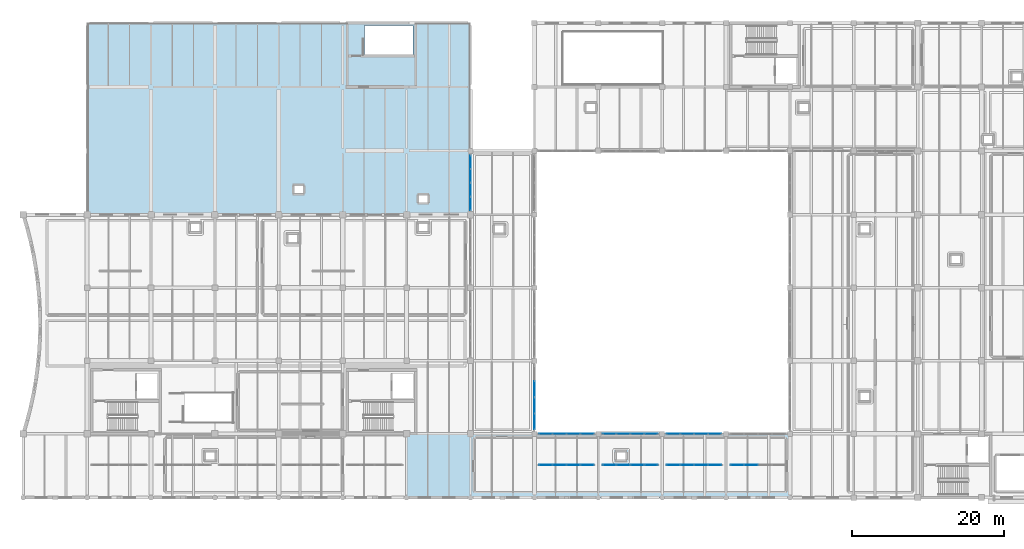
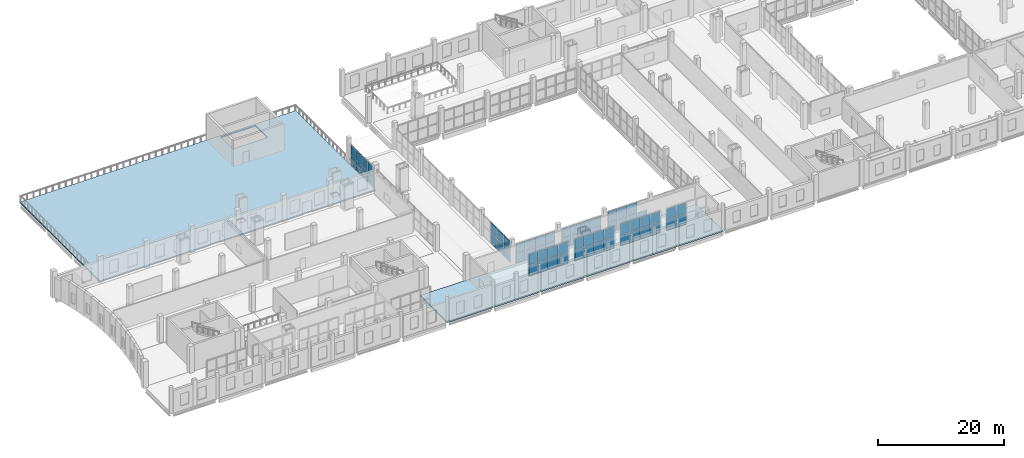
# One storey, part 49 of 73: 65 plates, 2 slabs, 9 elements without a shape of their own.
"""IFC4 building model written with IfcOpenShell, lengths in metres."""

from ifc_helpers import new_model, si_unit, direction, frame, origin, origin_2d, place, context, subcontext, project, spatial, polyline, rectangle, outline, extrude, material, layer, layer_set, type_object, element, aggregate, save


model = new_model("IFC4")

# Units and contexts
model_context = context("Model", 3, precision=1e-05, world=origin(), true_north=direction((0.0, 1.0)))
body_context = subcontext(model_context, "Body", "Model", "MODEL_VIEW")
ifc_project = project(units=[si_unit("LENGTHUNIT", "METRE"), si_unit("AREAUNIT", "SQUARE_METRE"), si_unit("VOLUMEUNIT", "CUBIC_METRE"), si_unit("PLANEANGLEUNIT", "RADIAN"), si_unit("MASSUNIT", "GRAM", prefix="KILO")], contexts=[model_context])

# Site, building, storey
site_placement = place(None, origin())
site = spatial("IfcSite", under=ifc_project, at=site_placement, CompositionType="ELEMENT")
building_placement = place(site_placement, origin())
building = spatial("IfcBuilding", under=site, at=building_placement, Name="Zulmaris Art Gallery", CompositionType="ELEMENT")
storey_placement = place(building_placement, frame((0.0, 0.0, 10.5)))
storey = spatial("IfcBuildingStorey", under=building, at=storey_placement, Name="L02", CompositionType="ELEMENT", Elevation=10.5)

# Curtain wall, plates
ifc_material_1 = material(Name="Cloister & Court Glazed Curtain Wall", Category="aluminium")
ifc_layer_1 = layer(ifc_material_1, 0.179931640625)
ifc_layer_set_1 = layer_set([ifc_layer_1], Name="Cloister & Court Glazed Curtain Wall")
curtain_wall_type = type_object("IfcCurtainWallType", Name="CW-CW03", PredefinedType="NOTDEFINED", material=ifc_layer_set_1)
curtain_wall_1_placement = place(storey_placement, origin())
curtain_wall_1 = element("IfcCurtainWall", 1, at=curtain_wall_1_placement, inside=storey, type_object=curtain_wall_type, Name="L02 curtain wall 62", PredefinedType="NOTDEFINED")
ifc_material_2 = material(Name="Triple Solar-Control Laminated Glass", Category="glass")
ifc_layer_2 = layer(ifc_material_2, 0.035888671875)
ifc_layer_set_2 = layer_set([ifc_layer_2], Name="Triple Solar-Control Laminated Glass")
plate_type = type_object("IfcPlateType", Name="CWPAN-GLZ", PredefinedType="CURTAIN_PANEL", material=ifc_layer_set_2)
plate_1_placement = place(storey_placement, frame((92.673828125, 17.5, 0.0751953125), z_axis=(0.0, 0.0, 1.0), x_axis=(1.0, 0.0, 0.0)))
plate_1 = element("IfcPlate", 2, at=plate_1_placement, type_object=plate_type, Name="CW03 panel 1.1", PredefinedType="CURTAIN_PANEL", context=body_context, shape_type="SweptSolid", body=[
    extrude(rectangle(XDim=1.717529296875, YDim=0.031982421875, at=origin_2d()), origin(), (0.0, 0.0, 1.0), 2.072509765625),
])
plate_2_placement = place(storey_placement, frame((92.673828125, 17.5, 2.22265625), z_axis=(0.0, 0.0, 1.0), x_axis=(1.0, 0.0, 0.0)))
plate_2 = element("IfcPlate", 3, at=plate_2_placement, type_object=plate_type, Name="CW03 panel 1.2", PredefinedType="CURTAIN_PANEL", context=body_context, shape_type="SweptSolid", body=[
    extrude(rectangle(XDim=1.717529296875, YDim=0.031982421875, at=origin_2d()), origin(), (0.0, 0.0, 1.0), 2.072509765625),
])
plate_3_placement = place(storey_placement, frame((94.485107421875, 17.5, 0.0751953125), z_axis=(0.0, 0.0, 1.0), x_axis=(1.0, 0.0, 0.0)))
plate_3 = element("IfcPlate", 4, at=plate_3_placement, type_object=plate_type, Name="CW03 panel 2.1", PredefinedType="CURTAIN_PANEL", context=body_context, shape_type="SweptSolid", body=[
    extrude(rectangle(XDim=1.7548828125, YDim=0.031982421875, at=origin_2d()), origin(), (0.0, 0.0, 1.0), 2.072509765625),
])
plate_4_placement = place(storey_placement, frame((94.485107421875, 17.5, 2.22265625), z_axis=(0.0, 0.0, 1.0), x_axis=(1.0, 0.0, 0.0)))
plate_4 = element("IfcPlate", 5, at=plate_4_placement, type_object=plate_type, Name="CW03 panel 2.2", PredefinedType="CURTAIN_PANEL", context=body_context, shape_type="SweptSolid", body=[
    extrude(rectangle(XDim=1.7548828125, YDim=0.031982421875, at=origin_2d()), origin(), (0.0, 0.0, 1.0), 2.072509765625),
])
plate_5_placement = place(storey_placement, frame((96.31494140625, 17.5, 0.0751953125), z_axis=(0.0, 0.0, 1.0), x_axis=(1.0, 0.0, 0.0)))
plate_5 = element("IfcPlate", 6, at=plate_5_placement, type_object=plate_type, Name="CW03 panel 3.1", PredefinedType="CURTAIN_PANEL", context=body_context, shape_type="SweptSolid", body=[
    extrude(rectangle(XDim=1.7548828125, YDim=0.031982421875, at=origin_2d()), origin(), (0.0, 0.0, 1.0), 2.072509765625),
])
plate_6_placement = place(storey_placement, frame((96.31494140625, 17.5, 2.22265625), z_axis=(0.0, 0.0, 1.0), x_axis=(1.0, 0.0, 0.0)))
plate_6 = element("IfcPlate", 7, at=plate_6_placement, type_object=plate_type, Name="CW03 panel 3.2", PredefinedType="CURTAIN_PANEL", context=body_context, shape_type="SweptSolid", body=[
    extrude(rectangle(XDim=1.7548828125, YDim=0.031982421875, at=origin_2d()), origin(), (0.0, 0.0, 1.0), 2.072509765625),
])
plate_7_placement = place(storey_placement, frame((98.126220703125, 17.5, 0.0751953125), z_axis=(0.0, 0.0, 1.0), x_axis=(1.0, 0.0, 0.0)))
plate_7 = element("IfcPlate", 8, at=plate_7_placement, type_object=plate_type, Name="CW03 panel 4.1", PredefinedType="CURTAIN_PANEL", context=body_context, shape_type="SweptSolid", body=[
    extrude(rectangle(XDim=1.717529296875, YDim=0.031982421875, at=origin_2d()), origin(), (0.0, 0.0, 1.0), 2.072509765625),
])
plate_8_placement = place(storey_placement, frame((98.126220703125, 17.5, 2.22265625), z_axis=(0.0, 0.0, 1.0), x_axis=(1.0, 0.0, 0.0)))
plate_8 = element("IfcPlate", 9, at=plate_8_placement, type_object=plate_type, Name="CW03 panel 4.2", PredefinedType="CURTAIN_PANEL", context=body_context, shape_type="SweptSolid", body=[
    extrude(rectangle(XDim=1.717529296875, YDim=0.031982421875, at=origin_2d()), origin(), (0.0, 0.0, 1.0), 2.072509765625),
])
aggregate(curtain_wall_1, [plate_1, plate_2, plate_3, plate_4, plate_5, plate_6, plate_7, plate_8])

curtain_wall_2_placement = place(storey_placement, origin())
curtain_wall_2 = element("IfcCurtainWall", 10, at=curtain_wall_2_placement, inside=storey, type_object=curtain_wall_type, Name="L02 curtain wall 63", PredefinedType="NOTDEFINED")
plate_9_placement = place(storey_placement, frame((101.07373046875, 17.5, 0.0751953125), z_axis=(0.0, 0.0, 1.0), x_axis=(1.0, 0.0, 0.0)))
plate_9 = element("IfcPlate", 11, at=plate_9_placement, type_object=plate_type, Name="CW03 panel 1.1", PredefinedType="CURTAIN_PANEL", context=body_context, shape_type="SweptSolid", body=[
    extrude(rectangle(XDim=1.717529296875, YDim=0.031982421875, at=origin_2d()), origin(), (0.0, 0.0, 1.0), 2.072509765625),
])
plate_10_placement = place(storey_placement, frame((101.07373046875, 17.5, 2.22265625), z_axis=(0.0, 0.0, 1.0), x_axis=(1.0, 0.0, 0.0)))
plate_10 = element("IfcPlate", 12, at=plate_10_placement, type_object=plate_type, Name="CW03 panel 1.2", PredefinedType="CURTAIN_PANEL", context=body_context, shape_type="SweptSolid", body=[
    extrude(rectangle(XDim=1.717529296875, YDim=0.031982421875, at=origin_2d()), origin(), (0.0, 0.0, 1.0), 2.072509765625),
])
plate_11_placement = place(storey_placement, frame((102.885009765625, 17.5, 0.0751953125), z_axis=(0.0, 0.0, 1.0), x_axis=(1.0, 0.0, 0.0)))
plate_11 = element("IfcPlate", 13, at=plate_11_placement, type_object=plate_type, Name="CW03 panel 2.1", PredefinedType="CURTAIN_PANEL", context=body_context, shape_type="SweptSolid", body=[
    extrude(rectangle(XDim=1.7548828125, YDim=0.031982421875, at=origin_2d()), origin(), (0.0, 0.0, 1.0), 2.072509765625),
])
plate_12_placement = place(storey_placement, frame((102.885009765625, 17.5, 2.22265625), z_axis=(0.0, 0.0, 1.0), x_axis=(1.0, 0.0, 0.0)))
plate_12 = element("IfcPlate", 14, at=plate_12_placement, type_object=plate_type, Name="CW03 panel 2.2", PredefinedType="CURTAIN_PANEL", context=body_context, shape_type="SweptSolid", body=[
    extrude(rectangle(XDim=1.7548828125, YDim=0.031982421875, at=origin_2d()), origin(), (0.0, 0.0, 1.0), 2.072509765625),
])
plate_13_placement = place(storey_placement, frame((104.715087890625, 17.5, 0.0751953125), z_axis=(0.0, 0.0, 1.0), x_axis=(1.0, 0.0, 0.0)))
plate_13 = element("IfcPlate", 15, at=plate_13_placement, type_object=plate_type, Name="CW03 panel 3.1", PredefinedType="CURTAIN_PANEL", context=body_context, shape_type="SweptSolid", body=[
    extrude(rectangle(XDim=1.7548828125, YDim=0.031982421875, at=origin_2d()), origin(), (0.0, 0.0, 1.0), 2.072509765625),
])
plate_14_placement = place(storey_placement, frame((104.715087890625, 17.5, 2.22265625), z_axis=(0.0, 0.0, 1.0), x_axis=(1.0, 0.0, 0.0)))
plate_14 = element("IfcPlate", 16, at=plate_14_placement, type_object=plate_type, Name="CW03 panel 3.2", PredefinedType="CURTAIN_PANEL", context=body_context, shape_type="SweptSolid", body=[
    extrude(rectangle(XDim=1.7548828125, YDim=0.031982421875, at=origin_2d()), origin(), (0.0, 0.0, 1.0), 2.072509765625),
])
plate_15_placement = place(storey_placement, frame((106.5263671875, 17.5, 0.0751953125), z_axis=(0.0, 0.0, 1.0), x_axis=(1.0, 0.0, 0.0)))
plate_15 = element("IfcPlate", 17, at=plate_15_placement, type_object=plate_type, Name="CW03 panel 4.1", PredefinedType="CURTAIN_PANEL", context=body_context, shape_type="SweptSolid", body=[
    extrude(rectangle(XDim=1.717529296875, YDim=0.031982421875, at=origin_2d()), origin(), (0.0, 0.0, 1.0), 2.072509765625),
])
plate_16_placement = place(storey_placement, frame((106.5263671875, 17.5, 2.22265625), z_axis=(0.0, 0.0, 1.0), x_axis=(1.0, 0.0, 0.0)))
plate_16 = element("IfcPlate", 18, at=plate_16_placement, type_object=plate_type, Name="CW03 panel 4.2", PredefinedType="CURTAIN_PANEL", context=body_context, shape_type="SweptSolid", body=[
    extrude(rectangle(XDim=1.717529296875, YDim=0.031982421875, at=origin_2d()), origin(), (0.0, 0.0, 1.0), 2.072509765625),
])
aggregate(curtain_wall_2, [plate_9, plate_10, plate_11, plate_12, plate_13, plate_14, plate_15, plate_16])

curtain_wall_3_placement = place(storey_placement, origin())
curtain_wall_3 = element("IfcCurtainWall", 19, at=curtain_wall_3_placement, inside=storey, type_object=curtain_wall_type, Name="L02 curtain wall 64", PredefinedType="NOTDEFINED")
plate_17_placement = place(storey_placement, frame((109.4736328125, 17.5, 0.0751953125), z_axis=(0.0, 0.0, 1.0), x_axis=(1.0, 0.0, 0.0)))
plate_17 = element("IfcPlate", 20, at=plate_17_placement, type_object=plate_type, Name="CW03 panel 1.1", PredefinedType="CURTAIN_PANEL", context=body_context, shape_type="SweptSolid", body=[
    extrude(rectangle(XDim=1.717529296875, YDim=0.031982421875, at=origin_2d()), origin(), (0.0, 0.0, 1.0), 2.072509765625),
])
plate_18_placement = place(storey_placement, frame((109.4736328125, 17.5, 2.22265625), z_axis=(0.0, 0.0, 1.0), x_axis=(1.0, 0.0, 0.0)))
plate_18 = element("IfcPlate", 21, at=plate_18_placement, type_object=plate_type, Name="CW03 panel 1.2", PredefinedType="CURTAIN_PANEL", context=body_context, shape_type="SweptSolid", body=[
    extrude(rectangle(XDim=1.717529296875, YDim=0.031982421875, at=origin_2d()), origin(), (0.0, 0.0, 1.0), 2.072509765625),
])
plate_19_placement = place(storey_placement, frame((111.284912109375, 17.5, 0.0751953125), z_axis=(0.0, 0.0, 1.0), x_axis=(1.0, 0.0, 0.0)))
plate_19 = element("IfcPlate", 22, at=plate_19_placement, type_object=plate_type, Name="CW03 panel 2.1", PredefinedType="CURTAIN_PANEL", context=body_context, shape_type="SweptSolid", body=[
    extrude(rectangle(XDim=1.7548828125, YDim=0.031982421875, at=origin_2d()), origin(), (0.0, 0.0, 1.0), 2.072509765625),
])
plate_20_placement = place(storey_placement, frame((111.284912109375, 17.5, 2.22265625), z_axis=(0.0, 0.0, 1.0), x_axis=(1.0, 0.0, 0.0)))
plate_20 = element("IfcPlate", 23, at=plate_20_placement, type_object=plate_type, Name="CW03 panel 2.2", PredefinedType="CURTAIN_PANEL", context=body_context, shape_type="SweptSolid", body=[
    extrude(rectangle(XDim=1.7548828125, YDim=0.031982421875, at=origin_2d()), origin(), (0.0, 0.0, 1.0), 2.072509765625),
])
plate_21_placement = place(storey_placement, frame((113.114990234375, 17.5, 0.0751953125), z_axis=(0.0, 0.0, 1.0), x_axis=(1.0, 0.0, 0.0)))
plate_21 = element("IfcPlate", 24, at=plate_21_placement, type_object=plate_type, Name="CW03 panel 3.1", PredefinedType="CURTAIN_PANEL", context=body_context, shape_type="SweptSolid", body=[
    extrude(rectangle(XDim=1.7548828125, YDim=0.031982421875, at=origin_2d()), origin(), (0.0, 0.0, 1.0), 2.072509765625),
])
plate_22_placement = place(storey_placement, frame((113.114990234375, 17.5, 2.22265625), z_axis=(0.0, 0.0, 1.0), x_axis=(1.0, 0.0, 0.0)))
plate_22 = element("IfcPlate", 25, at=plate_22_placement, type_object=plate_type, Name="CW03 panel 3.2", PredefinedType="CURTAIN_PANEL", context=body_context, shape_type="SweptSolid", body=[
    extrude(rectangle(XDim=1.7548828125, YDim=0.031982421875, at=origin_2d()), origin(), (0.0, 0.0, 1.0), 2.072509765625),
])
plate_23_placement = place(storey_placement, frame((114.92626953125, 17.5, 0.0751953125), z_axis=(0.0, 0.0, 1.0), x_axis=(1.0, 0.0, 0.0)))
plate_23 = element("IfcPlate", 26, at=plate_23_placement, type_object=plate_type, Name="CW03 panel 4.1", PredefinedType="CURTAIN_PANEL", context=body_context, shape_type="SweptSolid", body=[
    extrude(rectangle(XDim=1.717529296875, YDim=0.031982421875, at=origin_2d()), origin(), (0.0, 0.0, 1.0), 2.072509765625),
])
plate_24_placement = place(storey_placement, frame((114.92626953125, 17.5, 2.22265625), z_axis=(0.0, 0.0, 1.0), x_axis=(1.0, 0.0, 0.0)))
plate_24 = element("IfcPlate", 27, at=plate_24_placement, type_object=plate_type, Name="CW03 panel 4.2", PredefinedType="CURTAIN_PANEL", context=body_context, shape_type="SweptSolid", body=[
    extrude(rectangle(XDim=1.717529296875, YDim=0.031982421875, at=origin_2d()), origin(), (0.0, 0.0, 1.0), 2.072509765625),
])
aggregate(curtain_wall_3, [plate_17, plate_18, plate_19, plate_20, plate_21, plate_22, plate_23, plate_24])

curtain_wall_4_placement = place(storey_placement, origin())
curtain_wall_4 = element("IfcCurtainWall", 28, at=curtain_wall_4_placement, inside=storey, type_object=curtain_wall_type, Name="L02 curtain wall 65", PredefinedType="NOTDEFINED")
plate_25_placement = place(storey_placement, frame((117.873779296875, 17.5, 0.0751953125), z_axis=(0.0, 0.0, 1.0), x_axis=(1.0, 0.0, 0.0)))
plate_25 = element("IfcPlate", 29, at=plate_25_placement, type_object=plate_type, Name="CW03 panel 1.1", PredefinedType="CURTAIN_PANEL", context=body_context, shape_type="SweptSolid", body=[
    extrude(rectangle(XDim=1.717529296875, YDim=0.031982421875, at=origin_2d()), origin(), (0.0, 0.0, 1.0), 2.072509765625),
])
plate_26_placement = place(storey_placement, frame((117.873779296875, 17.5, 2.22265625), z_axis=(0.0, 0.0, 1.0), x_axis=(1.0, 0.0, 0.0)))
plate_26 = element("IfcPlate", 30, at=plate_26_placement, type_object=plate_type, Name="CW03 panel 1.2", PredefinedType="CURTAIN_PANEL", context=body_context, shape_type="SweptSolid", body=[
    extrude(rectangle(XDim=1.717529296875, YDim=0.031982421875, at=origin_2d()), origin(), (0.0, 0.0, 1.0), 2.072509765625),
])
plate_27_placement = place(storey_placement, frame((119.68505859375, 17.5, 0.0751953125), z_axis=(0.0, 0.0, 1.0), x_axis=(1.0, 0.0, 0.0)))
plate_27 = element("IfcPlate", 31, at=plate_27_placement, type_object=plate_type, Name="CW03 panel 2.1", PredefinedType="CURTAIN_PANEL", context=body_context, shape_type="SweptSolid", body=[
    extrude(rectangle(XDim=1.7548828125, YDim=0.031982421875, at=origin_2d()), origin(), (0.0, 0.0, 1.0), 2.072509765625),
])
plate_28_placement = place(storey_placement, frame((119.68505859375, 17.5, 2.22265625), z_axis=(0.0, 0.0, 1.0), x_axis=(1.0, 0.0, 0.0)))
plate_28 = element("IfcPlate", 32, at=plate_28_placement, type_object=plate_type, Name="CW03 panel 2.2", PredefinedType="CURTAIN_PANEL", context=body_context, shape_type="SweptSolid", body=[
    extrude(rectangle(XDim=1.7548828125, YDim=0.031982421875, at=origin_2d()), origin(), (0.0, 0.0, 1.0), 2.072509765625),
])
aggregate(curtain_wall_4, [plate_25, plate_26, plate_27, plate_28])

curtain_wall_5_placement = place(storey_placement, origin())
curtain_wall_5 = element("IfcCurtainWall", 33, at=curtain_wall_5_placement, inside=storey, type_object=curtain_wall_type, Name="L02 curtain wall 78", PredefinedType="NOTDEFINED")
plate_29_placement = place(storey_placement, frame((91.199951171875, 27.465087890625, 0.074951171875), z_axis=(0.0, 0.0, 1.0), x_axis=(0.0, -1.0, 0.0)))
plate_29 = element("IfcPlate", 34, at=plate_29_placement, type_object=plate_type, Name="CW03 panel 2.1", PredefinedType="CURTAIN_PANEL", context=body_context, shape_type="SweptSolid", body=[
    extrude(rectangle(XDim=2.054931640625, YDim=0.031982421875, at=origin_2d()), origin(), (0.0, 0.0, 1.0), 2.00244140625),
])
plate_30_placement = place(storey_placement, frame((91.199951171875, 27.465087890625, 2.152587890625), z_axis=(0.0, 0.0, 1.0), x_axis=(0.0, -1.0, 0.0)))
plate_30 = element("IfcPlate", 35, at=plate_30_placement, type_object=plate_type, Name="CW03 panel 2.2", PredefinedType="CURTAIN_PANEL", context=body_context, shape_type="SweptSolid", body=[
    extrude(rectangle(XDim=2.054931640625, YDim=0.031982421875, at=origin_2d()), origin(), (0.0, 0.0, 1.0), 2.00244140625),
])
plate_31_placement = place(storey_placement, frame((91.199951171875, 25.3349609375, 0.074951171875), z_axis=(0.0, 0.0, 1.0), x_axis=(0.0, -1.0, 0.0)))
plate_31 = element("IfcPlate", 36, at=plate_31_placement, type_object=plate_type, Name="CW03 panel 3.1", PredefinedType="CURTAIN_PANEL", context=body_context, shape_type="SweptSolid", body=[
    extrude(rectangle(XDim=2.054931640625, YDim=0.031982421875, at=origin_2d()), origin(), (0.0, 0.0, 1.0), 2.00244140625),
])
plate_32_placement = place(storey_placement, frame((91.199951171875, 25.3349609375, 2.152587890625), z_axis=(0.0, 0.0, 1.0), x_axis=(0.0, -1.0, 0.0)))
plate_32 = element("IfcPlate", 37, at=plate_32_placement, type_object=plate_type, Name="CW03 panel 3.2", PredefinedType="CURTAIN_PANEL", context=body_context, shape_type="SweptSolid", body=[
    extrude(rectangle(XDim=2.054931640625, YDim=0.031982421875, at=origin_2d()), origin(), (0.0, 0.0, 1.0), 2.00244140625),
])
plate_33_placement = place(storey_placement, frame((91.199951171875, 23.2236328125, 0.074951171875), z_axis=(0.0, 0.0, 1.0), x_axis=(0.0, -1.0, 0.0)))
plate_33 = element("IfcPlate", 38, at=plate_33_placement, type_object=plate_type, Name="CW03 panel 4.1", PredefinedType="CURTAIN_PANEL", context=body_context, shape_type="SweptSolid", body=[
    extrude(rectangle(XDim=2.017578125, YDim=0.031982421875, at=origin_2d()), origin(), (0.0, 0.0, 1.0), 2.00244140625),
])
plate_34_placement = place(storey_placement, frame((91.199951171875, 23.2236328125, 2.152587890625), z_axis=(0.0, 0.0, 1.0), x_axis=(0.0, -1.0, 0.0)))
plate_34 = element("IfcPlate", 39, at=plate_34_placement, type_object=plate_type, Name="CW03 panel 4.2", PredefinedType="CURTAIN_PANEL", context=body_context, shape_type="SweptSolid", body=[
    extrude(rectangle(XDim=2.017578125, YDim=0.031982421875, at=origin_2d()), origin(), (0.0, 0.0, 1.0), 2.00244140625),
])
aggregate(curtain_wall_5, [plate_29, plate_30, plate_31, plate_32, plate_33, plate_34])

curtain_wall_6_placement = place(storey_placement, origin())
curtain_wall_6 = element("IfcCurtainWall", 40, at=curtain_wall_6_placement, inside=storey, type_object=curtain_wall_type, Name="L02 curtain wall 83", PredefinedType="NOTDEFINED")
plate_35_placement = place(storey_placement, frame((82.800048828125, 51.873779296875, 0.074951171875), z_axis=(0.0, 0.0, 1.0), x_axis=(0.0, 1.0, 0.0)))
plate_35 = element("IfcPlate", 41, at=plate_35_placement, type_object=plate_type, Name="CW03 panel 1.1", PredefinedType="CURTAIN_PANEL", context=body_context, shape_type="SweptSolid", body=[
    extrude(rectangle(XDim=1.717529296875, YDim=0.031982421875, at=origin_2d()), origin(), (0.0, 0.0, 1.0), 1.9375),
])
plate_36_placement = place(storey_placement, frame((82.800048828125, 51.873779296875, 2.08740234375), z_axis=(0.0, 0.0, 1.0), x_axis=(0.0, 1.0, 0.0)))
plate_36 = element("IfcPlate", 42, at=plate_36_placement, type_object=plate_type, Name="CW03 panel 1.2", PredefinedType="CURTAIN_PANEL", context=body_context, shape_type="SweptSolid", body=[
    extrude(rectangle(XDim=1.717529296875, YDim=0.031982421875, at=origin_2d()), origin(), (0.0, 0.0, 1.0), 1.9375),
])
plate_37_placement = place(storey_placement, frame((82.800048828125, 53.68505859375, 0.074951171875), z_axis=(0.0, 0.0, 1.0), x_axis=(0.0, 1.0, 0.0)))
plate_37 = element("IfcPlate", 43, at=plate_37_placement, type_object=plate_type, Name="CW03 panel 2.1", PredefinedType="CURTAIN_PANEL", context=body_context, shape_type="SweptSolid", body=[
    extrude(rectangle(XDim=1.7548828125, YDim=0.031982421875, at=origin_2d()), origin(), (0.0, 0.0, 1.0), 1.9375),
])
plate_38_placement = place(storey_placement, frame((82.800048828125, 53.68505859375, 2.08740234375), z_axis=(0.0, 0.0, 1.0), x_axis=(0.0, 1.0, 0.0)))
plate_38 = element("IfcPlate", 44, at=plate_38_placement, type_object=plate_type, Name="CW03 panel 2.2", PredefinedType="CURTAIN_PANEL", context=body_context, shape_type="SweptSolid", body=[
    extrude(rectangle(XDim=1.7548828125, YDim=0.031982421875, at=origin_2d()), origin(), (0.0, 0.0, 1.0), 1.9375),
])
plate_39_placement = place(storey_placement, frame((82.800048828125, 55.514892578125, 0.074951171875), z_axis=(0.0, 0.0, 1.0), x_axis=(0.0, 1.0, 0.0)))
plate_39 = element("IfcPlate", 45, at=plate_39_placement, type_object=plate_type, Name="CW03 panel 3.1", PredefinedType="CURTAIN_PANEL", context=body_context, shape_type="SweptSolid", body=[
    extrude(rectangle(XDim=1.7548828125, YDim=0.031982421875, at=origin_2d()), origin(), (0.0, 0.0, 1.0), 1.9375),
])
plate_40_placement = place(storey_placement, frame((82.800048828125, 55.514892578125, 2.08740234375), z_axis=(0.0, 0.0, 1.0), x_axis=(0.0, 1.0, 0.0)))
plate_40 = element("IfcPlate", 46, at=plate_40_placement, type_object=plate_type, Name="CW03 panel 3.2", PredefinedType="CURTAIN_PANEL", context=body_context, shape_type="SweptSolid", body=[
    extrude(rectangle(XDim=1.7548828125, YDim=0.031982421875, at=origin_2d()), origin(), (0.0, 0.0, 1.0), 1.9375),
])
plate_41_placement = place(storey_placement, frame((82.800048828125, 57.326171875, 0.074951171875), z_axis=(0.0, 0.0, 1.0), x_axis=(0.0, 1.0, 0.0)))
plate_41 = element("IfcPlate", 47, at=plate_41_placement, type_object=plate_type, Name="CW03 panel 4.1", PredefinedType="CURTAIN_PANEL", context=body_context, shape_type="SweptSolid", body=[
    extrude(rectangle(XDim=1.717529296875, YDim=0.031982421875, at=origin_2d()), origin(), (0.0, 0.0, 1.0), 1.9375),
])
plate_42_placement = place(storey_placement, frame((82.800048828125, 57.326171875, 2.08740234375), z_axis=(0.0, 0.0, 1.0), x_axis=(0.0, 1.0, 0.0)))
plate_42 = element("IfcPlate", 48, at=plate_42_placement, type_object=plate_type, Name="CW03 panel 4.2", PredefinedType="CURTAIN_PANEL", context=body_context, shape_type="SweptSolid", body=[
    extrude(rectangle(XDim=1.717529296875, YDim=0.031982421875, at=origin_2d()), origin(), (0.0, 0.0, 1.0), 1.9375),
])
aggregate(curtain_wall_6, [plate_35, plate_36, plate_37, plate_38, plate_39, plate_40, plate_41, plate_42])

curtain_wall_7_placement = place(storey_placement, origin())
curtain_wall_7 = element("IfcCurtainWall", 49, at=curtain_wall_7_placement, inside=storey, type_object=curtain_wall_type, Name="L02 curtain wall 193", PredefinedType="NOTDEFINED")
plate_43_placement = place(storey_placement, frame((92.673828125, 21.60009765625, 0.074951171875), z_axis=(0.0, 0.0, 1.0), x_axis=(1.0, 0.0, 0.0)))
plate_43 = element("IfcPlate", 50, at=plate_43_placement, type_object=plate_type, Name="CW03 panel 1.1", PredefinedType="CURTAIN_PANEL", context=body_context, shape_type="SweptSolid", body=[
    extrude(rectangle(XDim=1.717529296875, YDim=0.031982421875, at=origin_2d()), origin(), (0.0, 0.0, 1.0), 1.83740234375),
])
plate_44_placement = place(storey_placement, frame((92.673828125, 21.60009765625, 1.987548828125), z_axis=(0.0, 0.0, 1.0), x_axis=(1.0, 0.0, 0.0)))
plate_44 = element("IfcPlate", 51, at=plate_44_placement, type_object=plate_type, Name="CW03 panel 1.2", PredefinedType="CURTAIN_PANEL", context=body_context, shape_type="SweptSolid", body=[
    extrude(rectangle(XDim=1.717529296875, YDim=0.031982421875, at=origin_2d()), origin(), (0.0, 0.0, 1.0), 1.83740234375),
])
plate_45_placement = place(storey_placement, frame((94.485107421875, 21.60009765625, 0.074951171875), z_axis=(0.0, 0.0, 1.0), x_axis=(1.0, 0.0, 0.0)))
plate_45 = element("IfcPlate", 52, at=plate_45_placement, type_object=plate_type, Name="CW03 panel 2.1", PredefinedType="CURTAIN_PANEL", context=body_context, shape_type="SweptSolid", body=[
    extrude(rectangle(XDim=1.7548828125, YDim=0.031982421875, at=origin_2d()), origin(), (0.0, 0.0, 1.0), 1.83740234375),
])
plate_46_placement = place(storey_placement, frame((94.485107421875, 21.60009765625, 1.987548828125), z_axis=(0.0, 0.0, 1.0), x_axis=(1.0, 0.0, 0.0)))
plate_46 = element("IfcPlate", 53, at=plate_46_placement, type_object=plate_type, Name="CW03 panel 2.2", PredefinedType="CURTAIN_PANEL", context=body_context, shape_type="SweptSolid", body=[
    extrude(rectangle(XDim=1.7548828125, YDim=0.031982421875, at=origin_2d()), origin(), (0.0, 0.0, 1.0), 1.83740234375),
])
plate_47_placement = place(storey_placement, frame((96.31494140625, 21.60009765625, 0.074951171875), z_axis=(0.0, 0.0, 1.0), x_axis=(1.0, 0.0, 0.0)))
plate_47 = element("IfcPlate", 54, at=plate_47_placement, type_object=plate_type, Name="CW03 panel 3.1", PredefinedType="CURTAIN_PANEL", context=body_context, shape_type="SweptSolid", body=[
    extrude(rectangle(XDim=1.7548828125, YDim=0.031982421875, at=origin_2d()), origin(), (0.0, 0.0, 1.0), 1.83740234375),
])
plate_48_placement = place(storey_placement, frame((96.31494140625, 21.60009765625, 1.987548828125), z_axis=(0.0, 0.0, 1.0), x_axis=(1.0, 0.0, 0.0)))
plate_48 = element("IfcPlate", 55, at=plate_48_placement, type_object=plate_type, Name="CW03 panel 3.2", PredefinedType="CURTAIN_PANEL", context=body_context, shape_type="SweptSolid", body=[
    extrude(rectangle(XDim=1.7548828125, YDim=0.031982421875, at=origin_2d()), origin(), (0.0, 0.0, 1.0), 1.83740234375),
])
plate_49_placement = place(storey_placement, frame((98.126220703125, 21.60009765625, 0.074951171875), z_axis=(0.0, 0.0, 1.0), x_axis=(1.0, 0.0, 0.0)))
plate_49 = element("IfcPlate", 56, at=plate_49_placement, type_object=plate_type, Name="CW03 panel 4.1", PredefinedType="CURTAIN_PANEL", context=body_context, shape_type="SweptSolid", body=[
    extrude(rectangle(XDim=1.717529296875, YDim=0.031982421875, at=origin_2d()), origin(), (0.0, 0.0, 1.0), 1.83740234375),
])
plate_50_placement = place(storey_placement, frame((98.126220703125, 21.60009765625, 1.987548828125), z_axis=(0.0, 0.0, 1.0), x_axis=(1.0, 0.0, 0.0)))
plate_50 = element("IfcPlate", 57, at=plate_50_placement, type_object=plate_type, Name="CW03 panel 4.2", PredefinedType="CURTAIN_PANEL", context=body_context, shape_type="SweptSolid", body=[
    extrude(rectangle(XDim=1.717529296875, YDim=0.031982421875, at=origin_2d()), origin(), (0.0, 0.0, 1.0), 1.83740234375),
])
aggregate(curtain_wall_7, [plate_43, plate_44, plate_45, plate_46, plate_47, plate_48, plate_49, plate_50])

curtain_wall_8_placement = place(storey_placement, origin())
curtain_wall_8 = element("IfcCurtainWall", 58, at=curtain_wall_8_placement, inside=storey, type_object=curtain_wall_type, Name="L02 curtain wall 194", PredefinedType="NOTDEFINED")
plate_51_placement = place(storey_placement, frame((101.07373046875, 21.60009765625, 0.074951171875), z_axis=(0.0, 0.0, 1.0), x_axis=(1.0, 0.0, 0.0)))
plate_51 = element("IfcPlate", 59, at=plate_51_placement, type_object=plate_type, Name="CW03 panel 1.1", PredefinedType="CURTAIN_PANEL", context=body_context, shape_type="SweptSolid", body=[
    extrude(rectangle(XDim=1.717529296875, YDim=0.031982421875, at=origin_2d()), origin(), (0.0, 0.0, 1.0), 1.83740234375),
])
plate_52_placement = place(storey_placement, frame((101.07373046875, 21.60009765625, 1.987548828125), z_axis=(0.0, 0.0, 1.0), x_axis=(1.0, 0.0, 0.0)))
plate_52 = element("IfcPlate", 60, at=plate_52_placement, type_object=plate_type, Name="CW03 panel 1.2", PredefinedType="CURTAIN_PANEL", context=body_context, shape_type="SweptSolid", body=[
    extrude(rectangle(XDim=1.717529296875, YDim=0.031982421875, at=origin_2d()), origin(), (0.0, 0.0, 1.0), 1.83740234375),
])
plate_53_placement = place(storey_placement, frame((102.885009765625, 21.60009765625, 0.074951171875), z_axis=(0.0, 0.0, 1.0), x_axis=(1.0, 0.0, 0.0)))
plate_53 = element("IfcPlate", 61, at=plate_53_placement, type_object=plate_type, Name="CW03 panel 2.1", PredefinedType="CURTAIN_PANEL", context=body_context, shape_type="SweptSolid", body=[
    extrude(rectangle(XDim=1.7548828125, YDim=0.031982421875, at=origin_2d()), origin(), (0.0, 0.0, 1.0), 1.83740234375),
])
plate_54_placement = place(storey_placement, frame((102.885009765625, 21.60009765625, 1.987548828125), z_axis=(0.0, 0.0, 1.0), x_axis=(1.0, 0.0, 0.0)))
plate_54 = element("IfcPlate", 62, at=plate_54_placement, type_object=plate_type, Name="CW03 panel 2.2", PredefinedType="CURTAIN_PANEL", context=body_context, shape_type="SweptSolid", body=[
    extrude(rectangle(XDim=1.7548828125, YDim=0.031982421875, at=origin_2d()), origin(), (0.0, 0.0, 1.0), 1.83740234375),
])
plate_55_placement = place(storey_placement, frame((104.715087890625, 21.60009765625, 0.074951171875), z_axis=(0.0, 0.0, 1.0), x_axis=(1.0, 0.0, 0.0)))
plate_55 = element("IfcPlate", 63, at=plate_55_placement, type_object=plate_type, Name="CW03 panel 3.1", PredefinedType="CURTAIN_PANEL", context=body_context, shape_type="SweptSolid", body=[
    extrude(rectangle(XDim=1.7548828125, YDim=0.031982421875, at=origin_2d()), origin(), (0.0, 0.0, 1.0), 1.83740234375),
])
plate_56_placement = place(storey_placement, frame((104.715087890625, 21.60009765625, 1.987548828125), z_axis=(0.0, 0.0, 1.0), x_axis=(1.0, 0.0, 0.0)))
plate_56 = element("IfcPlate", 64, at=plate_56_placement, type_object=plate_type, Name="CW03 panel 3.2", PredefinedType="CURTAIN_PANEL", context=body_context, shape_type="SweptSolid", body=[
    extrude(rectangle(XDim=1.7548828125, YDim=0.031982421875, at=origin_2d()), origin(), (0.0, 0.0, 1.0), 1.83740234375),
])
plate_57_placement = place(storey_placement, frame((106.5263671875, 21.60009765625, 0.074951171875), z_axis=(0.0, 0.0, 1.0), x_axis=(1.0, 0.0, 0.0)))
plate_57 = element("IfcPlate", 65, at=plate_57_placement, type_object=plate_type, Name="CW03 panel 4.1", PredefinedType="CURTAIN_PANEL", context=body_context, shape_type="SweptSolid", body=[
    extrude(rectangle(XDim=1.717529296875, YDim=0.031982421875, at=origin_2d()), origin(), (0.0, 0.0, 1.0), 1.83740234375),
])
plate_58_placement = place(storey_placement, frame((106.5263671875, 21.60009765625, 1.987548828125), z_axis=(0.0, 0.0, 1.0), x_axis=(1.0, 0.0, 0.0)))
plate_58 = element("IfcPlate", 66, at=plate_58_placement, type_object=plate_type, Name="CW03 panel 4.2", PredefinedType="CURTAIN_PANEL", context=body_context, shape_type="SweptSolid", body=[
    extrude(rectangle(XDim=1.717529296875, YDim=0.031982421875, at=origin_2d()), origin(), (0.0, 0.0, 1.0), 1.83740234375),
])
aggregate(curtain_wall_8, [plate_51, plate_52, plate_53, plate_54, plate_55, plate_56, plate_57, plate_58])

curtain_wall_9_placement = place(storey_placement, origin())
curtain_wall_9 = element("IfcCurtainWall", 67, at=curtain_wall_9_placement, inside=storey, type_object=curtain_wall_type, Name="L02 curtain wall 195", PredefinedType="NOTDEFINED")
plate_59_placement = place(storey_placement, frame((109.4736328125, 21.60009765625, 0.074951171875), z_axis=(0.0, 0.0, 1.0), x_axis=(1.0, 0.0, 0.0)))
plate_59 = element("IfcPlate", 68, at=plate_59_placement, type_object=plate_type, Name="CW03 panel 1.1", PredefinedType="CURTAIN_PANEL", context=body_context, shape_type="SweptSolid", body=[
    extrude(rectangle(XDim=1.717529296875, YDim=0.031982421875, at=origin_2d()), origin(), (0.0, 0.0, 1.0), 2.00244140625),
])
plate_60_placement = place(storey_placement, frame((109.4736328125, 21.60009765625, 2.152587890625), z_axis=(0.0, 0.0, 1.0), x_axis=(1.0, 0.0, 0.0)))
plate_60 = element("IfcPlate", 69, at=plate_60_placement, type_object=plate_type, Name="CW03 panel 1.2", PredefinedType="CURTAIN_PANEL", context=body_context, shape_type="SweptSolid", body=[
    extrude(rectangle(XDim=1.717529296875, YDim=0.031982421875, at=origin_2d()), origin(), (0.0, 0.0, 1.0), 2.00244140625),
])
plate_61_placement = place(storey_placement, frame((111.284912109375, 21.60009765625, 0.074951171875), z_axis=(0.0, 0.0, 1.0), x_axis=(1.0, 0.0, 0.0)))
plate_61 = element("IfcPlate", 70, at=plate_61_placement, type_object=plate_type, Name="CW03 panel 2.1", PredefinedType="CURTAIN_PANEL", context=body_context, shape_type="SweptSolid", body=[
    extrude(rectangle(XDim=1.7548828125, YDim=0.031982421875, at=origin_2d()), origin(), (0.0, 0.0, 1.0), 2.00244140625),
])
plate_62_placement = place(storey_placement, frame((111.284912109375, 21.60009765625, 2.152587890625), z_axis=(0.0, 0.0, 1.0), x_axis=(1.0, 0.0, 0.0)))
plate_62 = element("IfcPlate", 71, at=plate_62_placement, type_object=plate_type, Name="CW03 panel 2.2", PredefinedType="CURTAIN_PANEL", context=body_context, shape_type="SweptSolid", body=[
    extrude(rectangle(XDim=1.7548828125, YDim=0.031982421875, at=origin_2d()), origin(), (0.0, 0.0, 1.0), 2.00244140625),
])
plate_63_placement = place(storey_placement, frame((113.114990234375, 21.60009765625, 0.074951171875), z_axis=(0.0, 0.0, 1.0), x_axis=(1.0, 0.0, 0.0)))
plate_63 = element("IfcPlate", 72, at=plate_63_placement, type_object=plate_type, Name="CW03 panel 3.1", PredefinedType="CURTAIN_PANEL", context=body_context, shape_type="SweptSolid", body=[
    extrude(rectangle(XDim=1.7548828125, YDim=0.031982421875, at=origin_2d()), origin(), (0.0, 0.0, 1.0), 2.00244140625),
])
plate_64_placement = place(storey_placement, frame((113.114990234375, 21.60009765625, 2.152587890625), z_axis=(0.0, 0.0, 1.0), x_axis=(1.0, 0.0, 0.0)))
plate_64 = element("IfcPlate", 73, at=plate_64_placement, type_object=plate_type, Name="CW03 panel 3.2", PredefinedType="CURTAIN_PANEL", context=body_context, shape_type="SweptSolid", body=[
    extrude(rectangle(XDim=1.7548828125, YDim=0.031982421875, at=origin_2d()), origin(), (0.0, 0.0, 1.0), 2.00244140625),
])
plate_65_placement = place(storey_placement, frame((114.92626953125, 21.60009765625, 0.074951171875), z_axis=(0.0, 0.0, 1.0), x_axis=(1.0, 0.0, 0.0)))
plate_65 = element("IfcPlate", 74, at=plate_65_placement, type_object=plate_type, Name="CW03 panel 4.1", PredefinedType="CURTAIN_PANEL", context=body_context, shape_type="SweptSolid", body=[
    extrude(rectangle(XDim=1.717529296875, YDim=0.031982421875, at=origin_2d()), origin(), (0.0, 0.0, 1.0), 2.00244140625),
])
aggregate(curtain_wall_9, [plate_59, plate_60, plate_61, plate_62, plate_63, plate_64, plate_65])

# Slabs
ifc_material_3 = material(Name="Concrete C40/50", Category="concrete")
ifc_layer_3 = layer(ifc_material_3, 0.27001953125)
ifc_layer_set_3 = layer_set([ifc_layer_3], Name="Concrete C40/50")
slab_type_1 = type_object("IfcSlabType", Name="SLAB-SL-FL06", PredefinedType="FLOOR", material=ifc_layer_set_3)
slab_1_placement = place(storey_placement, frame((0.0, 0.0, -0.27001953125)))
element("IfcSlab", 75, at=slab_1_placement, inside=storey, type_object=slab_type_1, Name="L02 V2-E slab", PredefinedType="FLOOR", context=body_context, shape_type="SweptSolid", body=[
    extrude(outline(polyline([(74.39990234375, 13.199951171875), (74.39990234375, 21.60009765625), (124.800048828125, 21.60009765625), (124.800048828125, 13.199951171875), (74.39990234375, 13.199951171875)]), holes=[polyline([(103.199951171875, 18.199951171875), (103.199951171875, 19.199951171875), (102.0, 19.199951171875), (102.0, 18.199951171875), (103.199951171875, 18.199951171875)])]), origin(), (0.0, 0.0, 1.0), 0.27001953125),
])
ifc_layer_4 = layer(ifc_material_3, 0.25)
ifc_layer_set_4 = layer_set([ifc_layer_4], Name="Concrete C40/50")
slab_type_2 = type_object("IfcSlabType", Name="SLAB-SL-TER01", PredefinedType="ROOF", material=ifc_layer_set_4)
slab_2_placement = place(storey_placement, frame((0.0, 0.0, -0.25)))
element("IfcSlab", 76, at=slab_2_placement, inside=storey, type_object=slab_type_2, Name="L02 V3-ROOF-TER slab", PredefinedType="ROOF", context=body_context, shape_type="SweptSolid", body=[
    extrude(outline(polyline([(32.39990234375, 50.39990234375), (32.39990234375, 75.60009765625), (82.800048828125, 75.60009765625), (82.800048828125, 50.39990234375), (32.39990234375, 50.39990234375)]), holes=[polyline([(77.199951171875, 52.0), (77.199951171875, 53.0), (76.0, 53.0), (76.0, 52.0), (77.199951171875, 52.0)]), polyline([(60.800048828125, 53.199951171875), (60.800048828125, 54.199951171875), (59.60009765625, 54.199951171875), (59.60009765625, 53.199951171875), (60.800048828125, 53.199951171875)]), polyline([(68.860107421875, 71.409912109375), (75.25, 71.409912109375), (75.25, 75.25), (68.860107421875, 75.25), (68.860107421875, 71.409912109375)])]), origin(), (0.0, 0.0, 1.0), 0.25),
])

save(model, "model.ifc")
